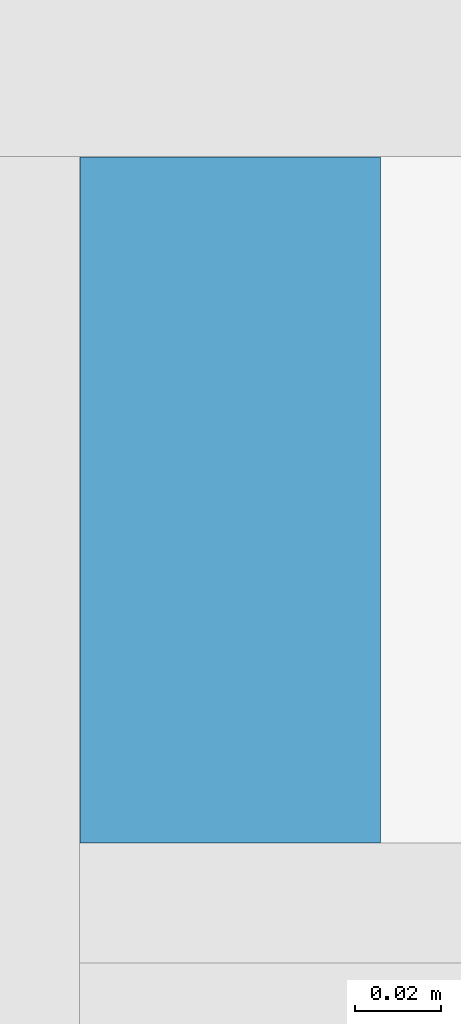
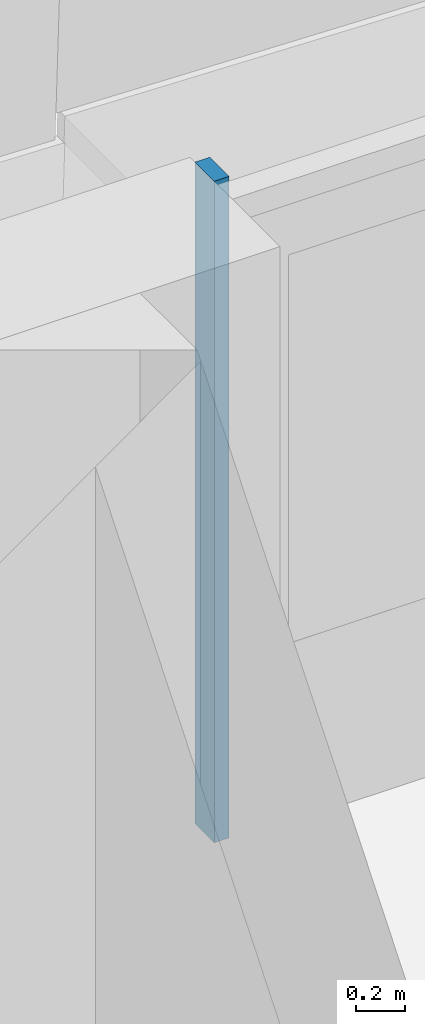
# One storey, part 11 of 33: 1 member, 1 element without a shape of its own.
"""IFC4 building model written with IfcOpenShell, lengths in metres."""

from ifc_helpers import new_model, si_unit, direction, frame, origin, origin_2d, place, context, subcontext, project, spatial, rectangle, extrude, material, material_profile, profile_set, type_object, element, aggregate, save


model = new_model("IFC4")

# Units and contexts
model_context = context("Model", 3, precision=1e-05, world=origin(), true_north=direction((0.0, 1.0)))
body_context = subcontext(model_context, "Body", "Model", "MODEL_VIEW")
ifc_project = project(units=[si_unit("LENGTHUNIT", "METRE"), si_unit("AREAUNIT", "SQUARE_METRE"), si_unit("VOLUMEUNIT", "CUBIC_METRE"), si_unit("PLANEANGLEUNIT", "RADIAN"), si_unit("MASSUNIT", "GRAM", prefix="KILO")], contexts=[model_context])

# Site, building, storey
site_placement = place(None, origin())
site = spatial("IfcSite", under=ifc_project, at=site_placement, CompositionType="ELEMENT")
building_placement = place(site_placement, origin())
building = spatial("IfcBuilding", under=site, at=building_placement, Name="Saffron Gate Tower", CompositionType="ELEMENT")
storey_placement = place(building_placement, frame((0.0, 0.0, 263.550048828125)))
storey = spatial("IfcBuildingStorey", under=building, at=storey_placement, Name="L63", CompositionType="ELEMENT", Elevation=263.550048828125)

# Curtain wall, member
ifc_material = material(Name="Aluminium, bronze anodised", Category="aluminium")
curtain_wall_type = type_object("IfcCurtainWallType", Name="CWS3 curtain wall rear facade", PredefinedType="NOTDEFINED", material=ifc_material)
curtain_wall_placement = place(storey_placement, origin())
curtain_wall = element("IfcCurtainWall", 1, at=curtain_wall_placement, inside=storey, type_object=curtain_wall_type, Name="CWS3 run 7", PredefinedType="NOTDEFINED")
ifc_material_profile = material_profile(ifc_material, rectangle(XDim=0.159912109375, YDim=0.070068359375, at=origin_2d()))
ifc_profile_set = profile_set([ifc_material_profile], Name="Aluminium, bronze anodised")
member_type = type_object("IfcMemberType", Name="CWS3 mullion 70x160", PredefinedType="MULLION", material=ifc_profile_set)
member_placement = place(storey_placement, frame((108.60009765625, 75.52001953125, 0.0), z_axis=(0.0, 0.0, 1.0), x_axis=(0.0, -1.0, 0.0)))
member = element("IfcMember", 2, at=member_placement, type_object=member_type, Name="CWS3 mullion 3", PredefinedType="MULLION", context=body_context, shape_type="SweptSolid", body=[
    extrude(rectangle(XDim=0.159912109375, YDim=0.070068359375, at=origin_2d()), origin(), (0.0, 0.0, 1.0), 3.320068359375),
])
aggregate(curtain_wall, [member])

save(model, "model.ifc")
